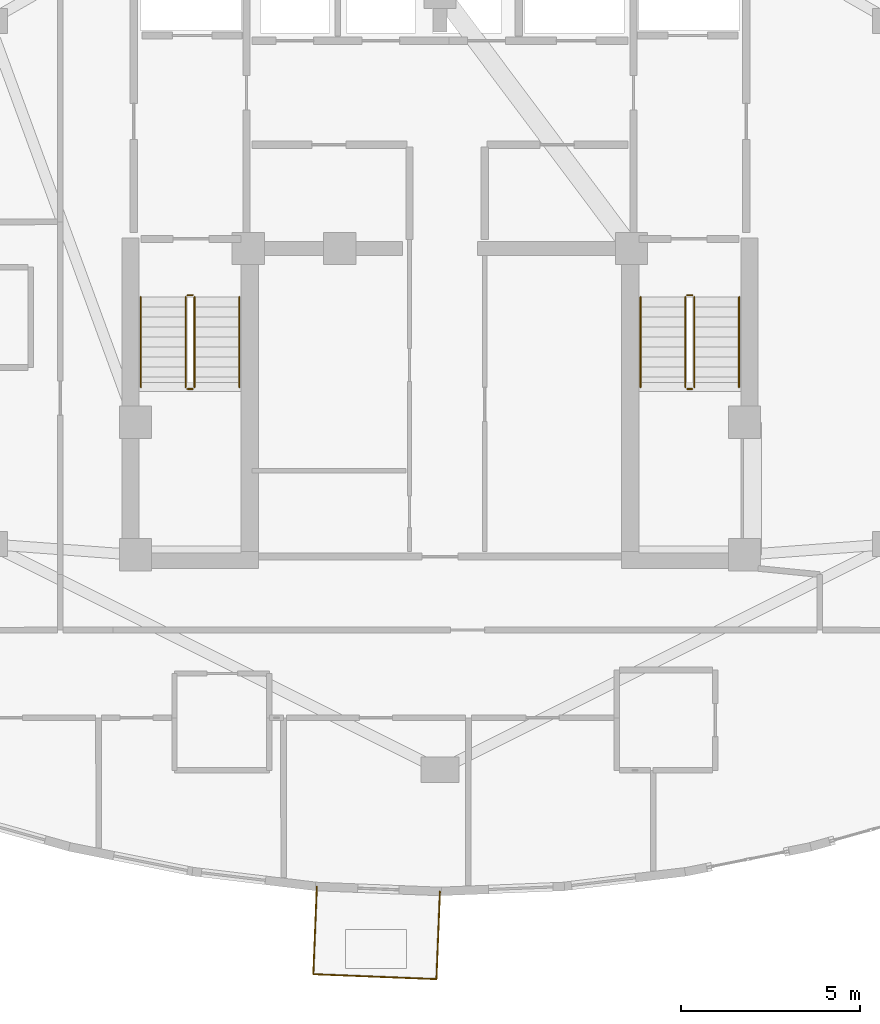
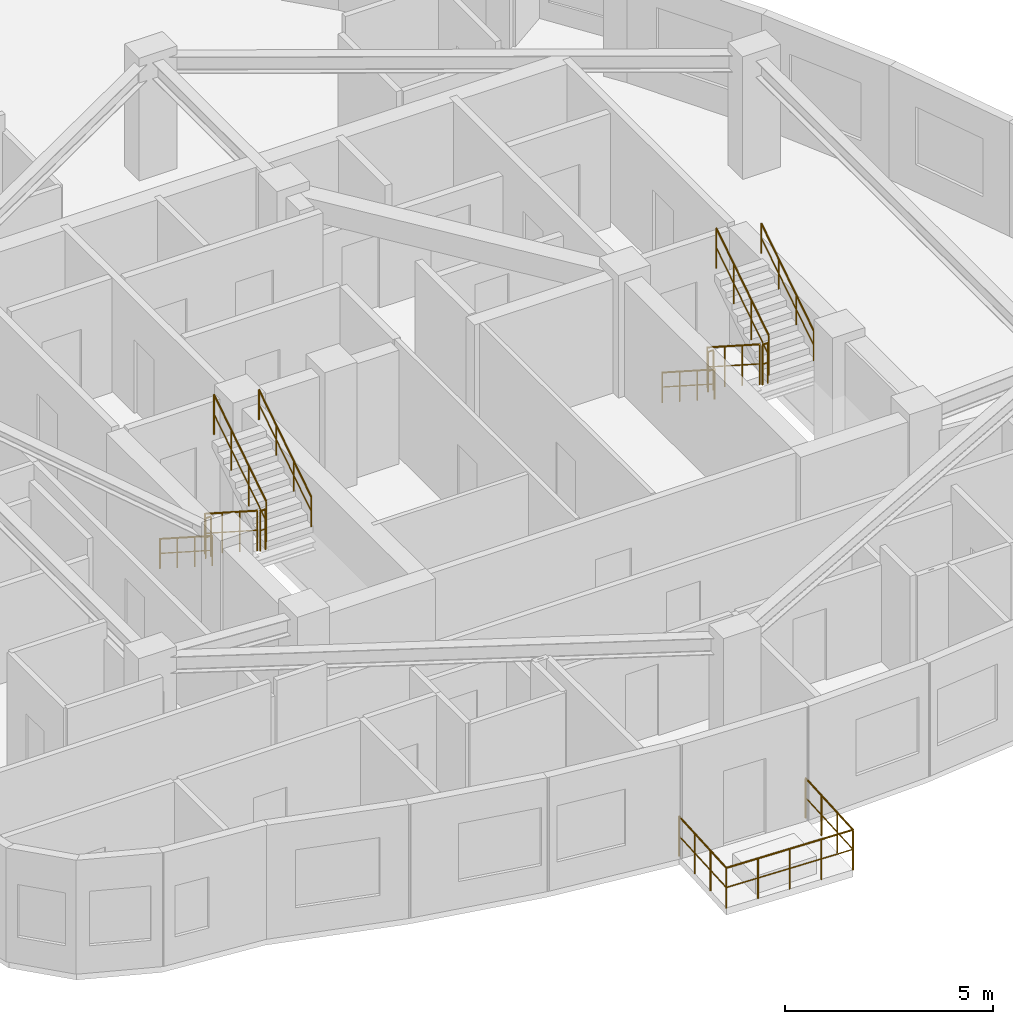
# One storey, part 15 of 15: 13 railings.
"""IFC4 building model written with IfcOpenShell, lengths in metres."""

from ifc_helpers import new_model, si_unit, direction, frame, origin, origin_2d, place, context, subcontext, project, spatial, circle, extrude, material, type_object, element, save


model = new_model("IFC4")

# Units and contexts
model_context = context("Model", 3, precision=1e-05, world=origin(), true_north=direction((0.0, 1.0)))
body_context = subcontext(model_context, "Body", "Model", "MODEL_VIEW")
ifc_project = project(units=[si_unit("LENGTHUNIT", "METRE"), si_unit("AREAUNIT", "SQUARE_METRE"), si_unit("VOLUMEUNIT", "CUBIC_METRE"), si_unit("PLANEANGLEUNIT", "RADIAN"), si_unit("MASSUNIT", "GRAM", prefix="KILO")], contexts=[model_context])

# Site, building, storey
site_placement = place(None, origin())
site = spatial("IfcSite", under=ifc_project, at=site_placement, CompositionType="ELEMENT")
building_placement = place(site_placement, origin())
building = spatial("IfcBuilding", under=site, at=building_placement, Name="Miruveldt Soraemaru", CompositionType="ELEMENT")
storey_placement = place(building_placement, frame((0.0, 0.0, 234.0)))
storey = spatial("IfcBuildingStorey", under=building, at=storey_placement, Name="L64", CompositionType="ELEMENT", Elevation=234.0)

# Railings
ifc_material_1 = material(Name="Anodised aluminium EN AW-6063 T6", Category="aluminium")
railing_type_1 = type_object("IfcRailingType", Name="RAIL-BAL-1200", PredefinedType="BALUSTRADE", material=ifc_material_1)
railing_1_placement = place(storey_placement, frame((40.561767578125, 26.2412109375, 0.0)))
element("IfcRailing", 1, at=railing_1_placement, inside=storey, type_object=railing_type_1, Name="L64 Sky Garden Deck Guardrail", PredefinedType="BALUSTRADE", context=body_context, shape_type="SweptSolid", body=[
    extrude(circle(Radius=0.02392578125, at=origin_2d()), frame((0.0, 0.0, 1.17578125), z_axis=(-0.039960078997, -0.999201277064, 0.0), x_axis=(0.999201277064, -0.039960078997, 0.0)), (0.0, 0.0, 1.0), 2.449951171875),
    extrude(circle(Radius=0.01611328125, at=origin_2d()), frame((0.0, 0.0, 0.60009765625), z_axis=(-0.039960078997, -0.999201277064, 0.0), x_axis=(0.999201277064, -0.039960078997, 0.0)), (0.0, 0.0, 1.0), 2.449951171875),
    extrude(circle(Radius=0.02392578125, at=origin_2d()), frame((-0.097900390625, -2.447998046875, 1.17578125), z_axis=(0.999199030784, -0.040016207723, 0.0), x_axis=(0.040016207723, 0.999199030784, 0.0)), (0.0, 0.0, 1.0), 3.44091796875),
    extrude(circle(Radius=0.01611328125, at=origin_2d()), frame((-0.097900390625, -2.447998046875, 0.60009765625), z_axis=(0.999199030784, -0.040016207723, 0.0), x_axis=(0.040016207723, 0.999199030784, 0.0)), (0.0, 0.0, 1.0), 3.44091796875),
    extrude(circle(Radius=0.02392578125, at=origin_2d()), frame((3.34033203125, -2.585693359375, 1.17578125), z_axis=(0.039960078997, 0.999201277064, 0.0), x_axis=(-0.999201277064, 0.039960078997, 0.0)), (0.0, 0.0, 1.0), 2.449951171875),
    extrude(circle(Radius=0.01611328125, at=origin_2d()), frame((3.34033203125, -2.585693359375, 0.60009765625), z_axis=(0.039960078997, 0.999201277064, 0.0), x_axis=(-0.999201277064, 0.039960078997, 0.0)), (0.0, 0.0, 1.0), 2.449951171875),
    extrude(circle(Radius=0.02099609375, at=origin_2d()), origin(), (0.0, 0.0, 1.0), 1.15185546875),
    extrude(circle(Radius=0.02099609375, at=origin_2d()), frame((-0.03271484375, -0.81591796875, 0.0)), (0.0, 0.0, 1.0), 1.15185546875),
    extrude(circle(Radius=0.02099609375, at=origin_2d()), frame((-0.065185546875, -1.632080078125, 0.0)), (0.0, 0.0, 1.0), 1.15185546875),
    extrude(circle(Radius=0.02099609375, at=origin_2d()), frame((-0.097900390625, -2.447998046875, 0.0)), (0.0, 0.0, 1.0), 1.15185546875),
    extrude(circle(Radius=0.02099609375, at=origin_2d()), frame((0.76171875, -2.482421875, 0.0)), (0.0, 0.0, 1.0), 1.15185546875),
    extrude(circle(Radius=0.02099609375, at=origin_2d()), frame((1.62109375, -2.516845703125, 0.0)), (0.0, 0.0, 1.0), 1.15185546875),
    extrude(circle(Radius=0.02099609375, at=origin_2d()), frame((2.480712890625, -2.55126953125, 0.0)), (0.0, 0.0, 1.0), 1.15185546875),
    extrude(circle(Radius=0.02099609375, at=origin_2d()), frame((3.34033203125, -2.585693359375, 0.0)), (0.0, 0.0, 1.0), 1.15185546875),
    extrude(circle(Radius=0.02099609375, at=origin_2d()), frame((3.373046875, -1.769775390625, 0.0)), (0.0, 0.0, 1.0), 1.15185546875),
    extrude(circle(Radius=0.02099609375, at=origin_2d()), frame((3.405517578125, -0.95361328125, 0.0)), (0.0, 0.0, 1.0), 1.15185546875),
    extrude(circle(Radius=0.02099609375, at=origin_2d()), frame((3.438232421875, -0.1376953125, 0.0)), (0.0, 0.0, 1.0), 1.15185546875),
])
ifc_material_2 = material(Name="Steel S355 (355 MPa)", Category="steel")
railing_type_2 = type_object("IfcRailingType", Name="RAIL-HR-900", PredefinedType="HANDRAIL", material=ifc_material_2)
railing_2_placement = place(storey_placement, frame((35.64990234375, 42.699951171875, 0.179931640625)))
element("IfcRailing", 2, at=railing_2_placement, inside=storey, type_object=railing_type_2, Name="L64 ST-1 stair handrail 1", PredefinedType="HANDRAIL", context=body_context, shape_type="SweptSolid", body=[
    extrude(circle(Radius=0.02392578125, at=origin_2d()), frame((0.0, 0.0, 0.8759765625), z_axis=(0.0, -0.841162588446, 0.540782303519), x_axis=(1.0, 0.0, 0.0)), (0.0, 0.0, 1.0), 2.995849609375),
    extrude(circle(Radius=0.01611328125, at=origin_2d()), frame((0.0, 0.0, 0.449951171875), z_axis=(0.0, -0.841162588446, 0.540782303519), x_axis=(1.0, 0.0, 0.0)), (0.0, 0.0, 1.0), 2.995849609375),
    extrude(circle(Radius=0.02099609375, at=origin_2d()), origin(), (0.0, 0.0, 1.0), 0.851806640625),
    extrude(circle(Radius=0.02099609375, at=origin_2d()), frame((0.0, -0.840087890625, 0.5400390625)), (0.0, 0.0, 1.0), 0.851806640625),
    extrude(circle(Radius=0.02099609375, at=origin_2d()), frame((0.0, -1.679931640625, 1.080078125)), (0.0, 0.0, 1.0), 0.851806640625),
    extrude(circle(Radius=0.02099609375, at=origin_2d()), frame((0.0, -2.52001953125, 1.6201171875)), (0.0, 0.0, 1.0), 0.851806640625),
])
railing_3_placement = place(storey_placement, frame((38.39990234375, 40.179931640625, 1.97998046875)))
element("IfcRailing", 3, at=railing_3_placement, inside=storey, type_object=railing_type_2, Name="L64 ST-1 stair handrail 2", PredefinedType="HANDRAIL", context=body_context, shape_type="SweptSolid", body=[
    extrude(circle(Radius=0.02392578125, at=origin_2d()), frame((0.0, 0.0, 0.8759765625), z_axis=(0.0, 0.841162588446, 0.540782303519), x_axis=(-1.0, 0.0, 0.0)), (0.0, 0.0, 1.0), 2.995849609375),
    extrude(circle(Radius=0.01611328125, at=origin_2d()), frame((0.0, 0.0, 0.449951171875), z_axis=(0.0, 0.841162588446, 0.540782303519), x_axis=(-1.0, 0.0, 0.0)), (0.0, 0.0, 1.0), 2.995849609375),
    extrude(circle(Radius=0.02099609375, at=origin_2d()), origin(), (0.0, 0.0, 1.0), 0.851806640625),
    extrude(circle(Radius=0.02099609375, at=origin_2d()), frame((0.0, 0.840087890625, 0.5400390625)), (0.0, 0.0, 1.0), 0.851806640625),
    extrude(circle(Radius=0.02099609375, at=origin_2d()), frame((0.0, 1.679931640625, 1.080078125)), (0.0, 0.0, 1.0), 0.851806640625),
    extrude(circle(Radius=0.02099609375, at=origin_2d()), frame((0.0, 2.52001953125, 1.6201171875)), (0.0, 0.0, 1.0), 0.851806640625),
])
railing_4_placement = place(storey_placement, frame((49.60009765625, 42.699951171875, 0.179931640625)))
element("IfcRailing", 4, at=railing_4_placement, inside=storey, type_object=railing_type_2, Name="L64 ST-2 stair handrail 1", PredefinedType="HANDRAIL", context=body_context, shape_type="SweptSolid", body=[
    extrude(circle(Radius=0.02392578125, at=origin_2d()), frame((0.0, 0.0, 0.8759765625), z_axis=(0.0, -0.841162588446, 0.540782303519), x_axis=(1.0, 0.0, 0.0)), (0.0, 0.0, 1.0), 2.995849609375),
    extrude(circle(Radius=0.01611328125, at=origin_2d()), frame((0.0, 0.0, 0.449951171875), z_axis=(0.0, -0.841162588446, 0.540782303519), x_axis=(1.0, 0.0, 0.0)), (0.0, 0.0, 1.0), 2.995849609375),
    extrude(circle(Radius=0.02099609375, at=origin_2d()), origin(), (0.0, 0.0, 1.0), 0.851806640625),
    extrude(circle(Radius=0.02099609375, at=origin_2d()), frame((0.0, -0.840087890625, 0.5400390625)), (0.0, 0.0, 1.0), 0.851806640625),
    extrude(circle(Radius=0.02099609375, at=origin_2d()), frame((0.0, -1.679931640625, 1.080078125)), (0.0, 0.0, 1.0), 0.851806640625),
    extrude(circle(Radius=0.02099609375, at=origin_2d()), frame((0.0, -2.52001953125, 1.6201171875)), (0.0, 0.0, 1.0), 0.851806640625),
])
railing_5_placement = place(storey_placement, frame((52.35009765625, 40.179931640625, 1.97998046875)))
element("IfcRailing", 5, at=railing_5_placement, inside=storey, type_object=railing_type_2, Name="L64 ST-2 stair handrail 2", PredefinedType="HANDRAIL", context=body_context, shape_type="SweptSolid", body=[
    extrude(circle(Radius=0.02392578125, at=origin_2d()), frame((0.0, 0.0, 0.8759765625), z_axis=(0.0, 0.841162588446, 0.540782303519), x_axis=(-1.0, 0.0, 0.0)), (0.0, 0.0, 1.0), 2.995849609375),
    extrude(circle(Radius=0.01611328125, at=origin_2d()), frame((0.0, 0.0, 0.449951171875), z_axis=(0.0, 0.841162588446, 0.540782303519), x_axis=(-1.0, 0.0, 0.0)), (0.0, 0.0, 1.0), 2.995849609375),
    extrude(circle(Radius=0.02099609375, at=origin_2d()), origin(), (0.0, 0.0, 1.0), 0.851806640625),
    extrude(circle(Radius=0.02099609375, at=origin_2d()), frame((0.0, 0.840087890625, 0.5400390625)), (0.0, 0.0, 1.0), 0.851806640625),
    extrude(circle(Radius=0.02099609375, at=origin_2d()), frame((0.0, 1.679931640625, 1.080078125)), (0.0, 0.0, 1.0), 0.851806640625),
    extrude(circle(Radius=0.02099609375, at=origin_2d()), frame((0.0, 2.52001953125, 1.6201171875)), (0.0, 0.0, 1.0), 0.851806640625),
])
railing_type_3 = type_object("IfcRailingType", Name="RAIL-STGUARD-1200", PredefinedType="GUARDRAIL", material=ifc_material_2)
railing_6_placement = place(storey_placement, frame((36.89990234375, 42.699951171875, 0.179931640625)))
element("IfcRailing", 6, at=railing_6_placement, inside=storey, type_object=railing_type_3, Name="L64 ST-1 stair guard 1", PredefinedType="GUARDRAIL", context=body_context, shape_type="SweptSolid", body=[
    extrude(circle(Radius=0.02392578125, at=origin_2d()), frame((0.0, 0.0, 1.17578125), z_axis=(0.0, -0.841162588446, 0.540782303519), x_axis=(1.0, 0.0, 0.0)), (0.0, 0.0, 1.0), 2.995849609375),
    extrude(circle(Radius=0.01611328125, at=origin_2d()), frame((0.0, 0.0, 0.60009765625), z_axis=(0.0, -0.841162588446, 0.540782303519), x_axis=(1.0, 0.0, 0.0)), (0.0, 0.0, 1.0), 2.995849609375),
    extrude(circle(Radius=0.02099609375, at=origin_2d()), origin(), (0.0, 0.0, 1.0), 1.15185546875),
    extrude(circle(Radius=0.02099609375, at=origin_2d()), frame((0.0, -0.840087890625, 0.5400390625)), (0.0, 0.0, 1.0), 1.15185546875),
    extrude(circle(Radius=0.02099609375, at=origin_2d()), frame((0.0, -1.679931640625, 1.080078125)), (0.0, 0.0, 1.0), 1.15185546875),
    extrude(circle(Radius=0.02099609375, at=origin_2d()), frame((0.0, -2.52001953125, 1.6201171875)), (0.0, 0.0, 1.0), 1.15185546875),
])
railing_7_placement = place(storey_placement, frame((36.949951171875, 40.1298828125, 1.800048828125)))
element("IfcRailing", 7, at=railing_7_placement, inside=storey, type_object=railing_type_3, Name="L64 ST-1 stair guard 2", PredefinedType="GUARDRAIL", context=body_context, shape_type="SweptSolid", body=[
    extrude(circle(Radius=0.02392578125, at=origin_2d()), frame((0.0, 0.0, 1.17578125), z_axis=(1.0, 0.0, 0.0), x_axis=(0.0, 1.0, 0.0)), (0.0, 0.0, 1.0), 0.150146484375),
    extrude(circle(Radius=0.01611328125, at=origin_2d()), frame((0.0, 0.0, 0.60009765625), z_axis=(1.0, 0.0, 0.0), x_axis=(0.0, 1.0, 0.0)), (0.0, 0.0, 1.0), 0.150146484375),
    extrude(circle(Radius=0.02099609375, at=origin_2d()), origin(), (0.0, 0.0, 1.0), 1.15185546875),
    extrude(circle(Radius=0.02099609375, at=origin_2d()), frame((0.150146484375, 0.0, 0.0)), (0.0, 0.0, 1.0), 1.15185546875),
])
railing_8_placement = place(storey_placement, frame((37.14990234375, 40.179931640625, 1.97998046875)))
element("IfcRailing", 8, at=railing_8_placement, inside=storey, type_object=railing_type_3, Name="L64 ST-1 stair guard 3", PredefinedType="GUARDRAIL", context=body_context, shape_type="SweptSolid", body=[
    extrude(circle(Radius=0.02392578125, at=origin_2d()), frame((0.0, 0.0, 1.17578125), z_axis=(0.0, 0.841162588446, 0.540782303519), x_axis=(-1.0, 0.0, 0.0)), (0.0, 0.0, 1.0), 2.995849609375),
    extrude(circle(Radius=0.01611328125, at=origin_2d()), frame((0.0, 0.0, 0.60009765625), z_axis=(0.0, 0.841162588446, 0.540782303519), x_axis=(-1.0, 0.0, 0.0)), (0.0, 0.0, 1.0), 2.995849609375),
    extrude(circle(Radius=0.02099609375, at=origin_2d()), origin(), (0.0, 0.0, 1.0), 1.15185546875),
    extrude(circle(Radius=0.02099609375, at=origin_2d()), frame((0.0, 0.840087890625, 0.5400390625)), (0.0, 0.0, 1.0), 1.15185546875),
    extrude(circle(Radius=0.02099609375, at=origin_2d()), frame((0.0, 1.679931640625, 1.080078125)), (0.0, 0.0, 1.0), 1.15185546875),
    extrude(circle(Radius=0.02099609375, at=origin_2d()), frame((0.0, 2.52001953125, 1.6201171875)), (0.0, 0.0, 1.0), 1.15185546875),
])
railing_9_placement = place(storey_placement, frame((36.949951171875, 42.75, 0.0)))
element("IfcRailing", 9, at=railing_9_placement, inside=storey, type_object=railing_type_3, Name="L64 ST-1 stair guard 4", PredefinedType="GUARDRAIL", context=body_context, shape_type="SweptSolid", body=[
    extrude(circle(Radius=0.02392578125, at=origin_2d()), frame((0.0, 0.0, 1.17578125), z_axis=(1.0, 0.0, 0.0), x_axis=(0.0, 1.0, 0.0)), (0.0, 0.0, 1.0), 0.150146484375),
    extrude(circle(Radius=0.01611328125, at=origin_2d()), frame((0.0, 0.0, 0.60009765625), z_axis=(1.0, 0.0, 0.0), x_axis=(0.0, 1.0, 0.0)), (0.0, 0.0, 1.0), 0.150146484375),
    extrude(circle(Radius=0.02099609375, at=origin_2d()), origin(), (0.0, 0.0, 1.0), 1.15185546875),
    extrude(circle(Radius=0.02099609375, at=origin_2d()), frame((0.150146484375, 0.0, 0.0)), (0.0, 0.0, 1.0), 1.15185546875),
])
railing_10_placement = place(storey_placement, frame((50.85009765625, 42.699951171875, 0.179931640625)))
element("IfcRailing", 10, at=railing_10_placement, inside=storey, type_object=railing_type_3, Name="L64 ST-2 stair guard 1", PredefinedType="GUARDRAIL", context=body_context, shape_type="SweptSolid", body=[
    extrude(circle(Radius=0.02392578125, at=origin_2d()), frame((0.0, 0.0, 1.17578125), z_axis=(0.0, -0.841162588446, 0.540782303519), x_axis=(1.0, 0.0, 0.0)), (0.0, 0.0, 1.0), 2.995849609375),
    extrude(circle(Radius=0.01611328125, at=origin_2d()), frame((0.0, 0.0, 0.60009765625), z_axis=(0.0, -0.841162588446, 0.540782303519), x_axis=(1.0, 0.0, 0.0)), (0.0, 0.0, 1.0), 2.995849609375),
    extrude(circle(Radius=0.02099609375, at=origin_2d()), origin(), (0.0, 0.0, 1.0), 1.15185546875),
    extrude(circle(Radius=0.02099609375, at=origin_2d()), frame((0.0, -0.840087890625, 0.5400390625)), (0.0, 0.0, 1.0), 1.15185546875),
    extrude(circle(Radius=0.02099609375, at=origin_2d()), frame((0.0, -1.679931640625, 1.080078125)), (0.0, 0.0, 1.0), 1.15185546875),
    extrude(circle(Radius=0.02099609375, at=origin_2d()), frame((0.0, -2.52001953125, 1.6201171875)), (0.0, 0.0, 1.0), 1.15185546875),
])
railing_11_placement = place(storey_placement, frame((50.89990234375, 40.1298828125, 1.800048828125)))
element("IfcRailing", 11, at=railing_11_placement, inside=storey, type_object=railing_type_3, Name="L64 ST-2 stair guard 2", PredefinedType="GUARDRAIL", context=body_context, shape_type="SweptSolid", body=[
    extrude(circle(Radius=0.02392578125, at=origin_2d()), frame((0.0, 0.0, 1.17578125), z_axis=(1.0, 0.0, 0.0), x_axis=(0.0, 1.0, 0.0)), (0.0, 0.0, 1.0), 0.150146484375),
    extrude(circle(Radius=0.01611328125, at=origin_2d()), frame((0.0, 0.0, 0.60009765625), z_axis=(1.0, 0.0, 0.0), x_axis=(0.0, 1.0, 0.0)), (0.0, 0.0, 1.0), 0.150146484375),
    extrude(circle(Radius=0.02099609375, at=origin_2d()), origin(), (0.0, 0.0, 1.0), 1.15185546875),
    extrude(circle(Radius=0.02099609375, at=origin_2d()), frame((0.150146484375, 0.0, 0.0)), (0.0, 0.0, 1.0), 1.15185546875),
])
railing_12_placement = place(storey_placement, frame((51.10009765625, 40.179931640625, 1.97998046875)))
element("IfcRailing", 12, at=railing_12_placement, inside=storey, type_object=railing_type_3, Name="L64 ST-2 stair guard 3", PredefinedType="GUARDRAIL", context=body_context, shape_type="SweptSolid", body=[
    extrude(circle(Radius=0.02392578125, at=origin_2d()), frame((0.0, 0.0, 1.17578125), z_axis=(0.0, 0.841162588446, 0.540782303519), x_axis=(-1.0, 0.0, 0.0)), (0.0, 0.0, 1.0), 2.995849609375),
    extrude(circle(Radius=0.01611328125, at=origin_2d()), frame((0.0, 0.0, 0.60009765625), z_axis=(0.0, 0.841162588446, 0.540782303519), x_axis=(-1.0, 0.0, 0.0)), (0.0, 0.0, 1.0), 2.995849609375),
    extrude(circle(Radius=0.02099609375, at=origin_2d()), origin(), (0.0, 0.0, 1.0), 1.15185546875),
    extrude(circle(Radius=0.02099609375, at=origin_2d()), frame((0.0, 0.840087890625, 0.5400390625)), (0.0, 0.0, 1.0), 1.15185546875),
    extrude(circle(Radius=0.02099609375, at=origin_2d()), frame((0.0, 1.679931640625, 1.080078125)), (0.0, 0.0, 1.0), 1.15185546875),
    extrude(circle(Radius=0.02099609375, at=origin_2d()), frame((0.0, 2.52001953125, 1.6201171875)), (0.0, 0.0, 1.0), 1.15185546875),
])
railing_13_placement = place(storey_placement, frame((50.89990234375, 42.75, 0.0)))
element("IfcRailing", 13, at=railing_13_placement, inside=storey, type_object=railing_type_3, Name="L64 ST-2 stair guard 4", PredefinedType="GUARDRAIL", context=body_context, shape_type="SweptSolid", body=[
    extrude(circle(Radius=0.02392578125, at=origin_2d()), frame((0.0, 0.0, 1.17578125), z_axis=(1.0, 0.0, 0.0), x_axis=(0.0, 1.0, 0.0)), (0.0, 0.0, 1.0), 0.150146484375),
    extrude(circle(Radius=0.01611328125, at=origin_2d()), frame((0.0, 0.0, 0.60009765625), z_axis=(1.0, 0.0, 0.0), x_axis=(0.0, 1.0, 0.0)), (0.0, 0.0, 1.0), 0.150146484375),
    extrude(circle(Radius=0.02099609375, at=origin_2d()), origin(), (0.0, 0.0, 1.0), 1.15185546875),
    extrude(circle(Radius=0.02099609375, at=origin_2d()), frame((0.150146484375, 0.0, 0.0)), (0.0, 0.0, 1.0), 1.15185546875),
])

save(model, "model.ifc")
